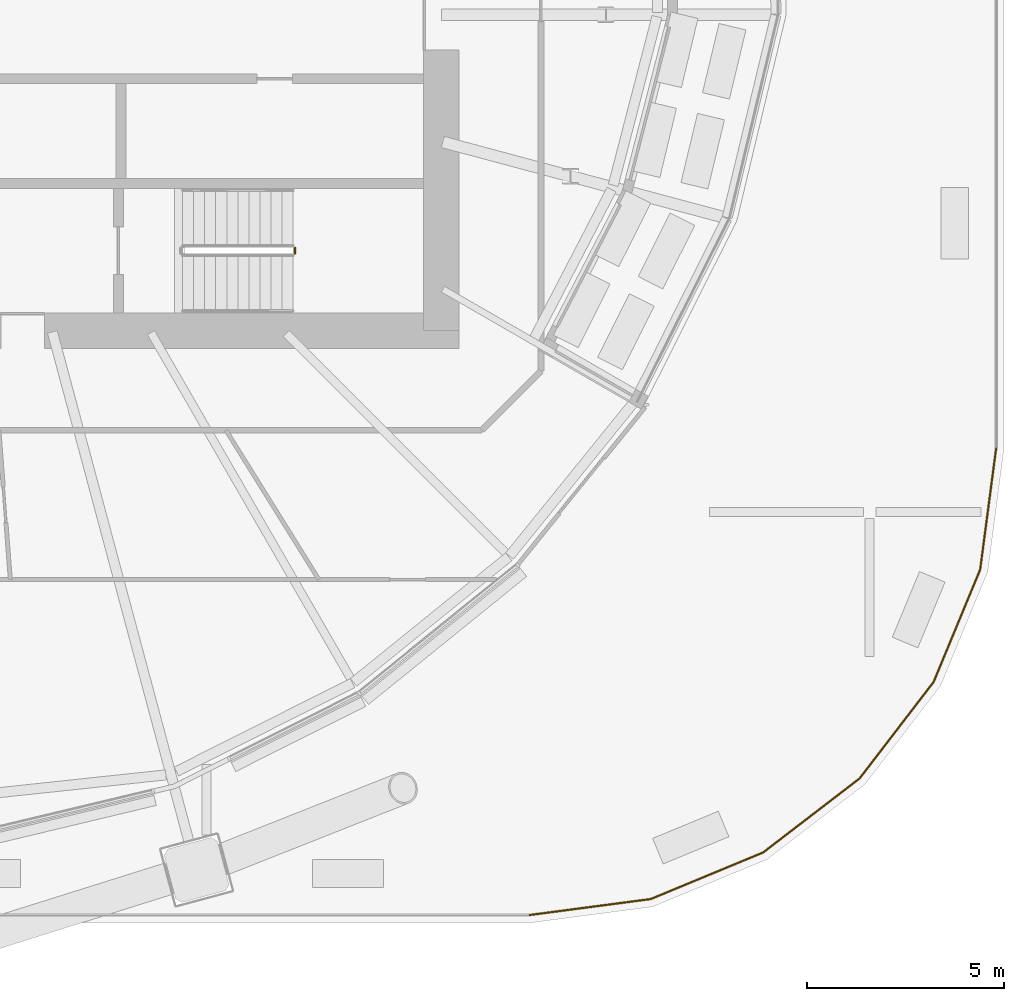
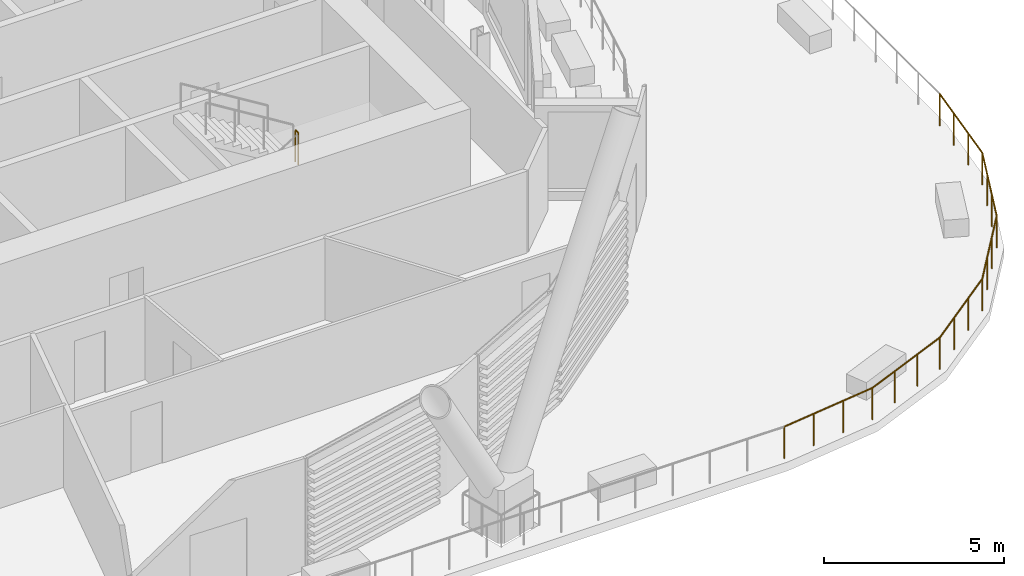
# One storey, part 44 of 47: 2 railings.
"""IFC4 building model written with IfcOpenShell, lengths in metres."""

from ifc_helpers import new_model, si_unit, direction, frame, origin, origin_2d, place, context, subcontext, project, spatial, circle, extrude, material, type_object, element, save


model = new_model("IFC4")

# Units and contexts
model_context = context("Model", 3, precision=1e-05, world=origin(), true_north=direction((0.0, 1.0)))
body_context = subcontext(model_context, "Body", "Model", "MODEL_VIEW")
ifc_project = project(units=[si_unit("LENGTHUNIT", "METRE"), si_unit("AREAUNIT", "SQUARE_METRE"), si_unit("VOLUMEUNIT", "CUBIC_METRE"), si_unit("PLANEANGLEUNIT", "RADIAN"), si_unit("MASSUNIT", "GRAM", prefix="KILO")], contexts=[model_context])

# Site, building, storey
site_placement = place(None, origin())
site = spatial("IfcSite", under=ifc_project, at=site_placement, CompositionType="ELEMENT")
building_placement = place(site_placement, origin())
building = spatial("IfcBuilding", under=site, at=building_placement, Name="Rimbun Link Towers", CompositionType="ELEMENT")
storey_placement = place(building_placement, frame((0.0, 0.0, 30.0)))
storey = spatial("IfcBuildingStorey", under=building, at=storey_placement, Name="L06", CompositionType="ELEMENT", Elevation=30.0)

# Railings
ifc_material_1 = material(Name="Toughened laminated glass, stainless steel grade 316 posts and cap rail", Category="steel")
railing_type_1 = type_object("IfcRailingType", Name="GUARD glass balustrade with stainless cap rail", PredefinedType="BALUSTRADE", material=ifc_material_1)
railing_1_placement = place(storey_placement, frame((45.98681640625, -22.800048828125, 0.0)))
element("IfcRailing", 1, at=railing_1_placement, inside=storey, type_object=railing_type_1, Name="GUARD glass balustrade", PredefinedType="BALUSTRADE", context=body_context, shape_type="SweptSolid", body=[
    extrude(circle(Radius=0.02392578125, at=origin_2d()), frame((0.0, 0.0, 1.076171875), z_axis=(0.991443009305, 0.130540259305, 0.0), x_axis=(-0.130540259305, 0.991443009305, 0.0)), (0.0, 0.0, 1.0), 3.09326171875),
    extrude(circle(Radius=0.02392578125, at=origin_2d()), frame((3.06689453125, 0.40380859375, 1.076171875), z_axis=(0.92386997747, 0.382706499462, 0.0), x_axis=(-0.382706499462, 0.92386997747, 0.0)), (0.0, 0.0, 1.0), 3.079833984375),
    extrude(circle(Radius=0.02392578125, at=origin_2d()), frame((5.912353515625, 1.58251953125, 1.076171875), z_axis=(0.793398353015, 0.608702762794, 0.0), x_axis=(-0.608702762794, 0.793398353015, 0.0)), (0.0, 0.0, 1.0), 3.079833984375),
    extrude(circle(Radius=0.02392578125, at=origin_2d()), frame((8.35595703125, 3.457275390625, 1.076171875), z_axis=(0.608702762794, 0.793398353015, 0.0), x_axis=(-0.793398353015, 0.608702762794, 0.0)), (0.0, 0.0, 1.0), 3.079833984375),
    extrude(circle(Radius=0.02392578125, at=origin_2d()), frame((10.230712890625, 5.90087890625, 1.076171875), z_axis=(0.382706499462, 0.92386997747, 0.0), x_axis=(-0.92386997747, 0.382706499462, 0.0)), (0.0, 0.0, 1.0), 3.079833984375),
    extrude(circle(Radius=0.02392578125, at=origin_2d()), frame((11.409423828125, 8.746337890625, 1.076171875), z_axis=(0.130540259305, 0.991443009305, 0.0), x_axis=(-0.991443009305, 0.130540259305, 0.0)), (0.0, 0.0, 1.0), 3.09326171875),
    extrude(circle(Radius=0.02099609375, at=origin_2d()), origin(), (0.0, 0.0, 1.0), 1.052001953125),
    extrude(circle(Radius=0.02099609375, at=origin_2d()), frame((1.022216796875, 0.134521484375, 0.0)), (0.0, 0.0, 1.0), 1.052001953125),
    extrude(circle(Radius=0.02099609375, at=origin_2d()), frame((2.044677734375, 0.269287109375, 0.0)), (0.0, 0.0, 1.0), 1.052001953125),
    extrude(circle(Radius=0.02099609375, at=origin_2d()), frame((3.06689453125, 0.40380859375, 0.0)), (0.0, 0.0, 1.0), 1.052001953125),
    extrude(circle(Radius=0.02099609375, at=origin_2d()), frame((4.015380859375, 0.796630859375, 0.0)), (0.0, 0.0, 1.0), 1.052001953125),
    extrude(circle(Radius=0.02099609375, at=origin_2d()), frame((4.9638671875, 1.189697265625, 0.0)), (0.0, 0.0, 1.0), 1.052001953125),
    extrude(circle(Radius=0.02099609375, at=origin_2d()), frame((5.912353515625, 1.58251953125, 0.0)), (0.0, 0.0, 1.0), 1.052001953125),
    extrude(circle(Radius=0.02099609375, at=origin_2d()), frame((6.726806640625, 2.20751953125, 0.0)), (0.0, 0.0, 1.0), 1.052001953125),
    extrude(circle(Radius=0.02099609375, at=origin_2d()), frame((7.54150390625, 2.832275390625, 0.0)), (0.0, 0.0, 1.0), 1.052001953125),
    extrude(circle(Radius=0.02099609375, at=origin_2d()), frame((8.35595703125, 3.457275390625, 0.0)), (0.0, 0.0, 1.0), 1.052001953125),
    extrude(circle(Radius=0.02099609375, at=origin_2d()), frame((8.98095703125, 4.271728515625, 0.0)), (0.0, 0.0, 1.0), 1.052001953125),
    extrude(circle(Radius=0.02099609375, at=origin_2d()), frame((9.605712890625, 5.08642578125, 0.0)), (0.0, 0.0, 1.0), 1.052001953125),
    extrude(circle(Radius=0.02099609375, at=origin_2d()), frame((10.230712890625, 5.90087890625, 0.0)), (0.0, 0.0, 1.0), 1.052001953125),
    extrude(circle(Radius=0.02099609375, at=origin_2d()), frame((10.62353515625, 6.849365234375, 0.0)), (0.0, 0.0, 1.0), 1.052001953125),
    extrude(circle(Radius=0.02099609375, at=origin_2d()), frame((11.0166015625, 7.7978515625, 0.0)), (0.0, 0.0, 1.0), 1.052001953125),
    extrude(circle(Radius=0.02099609375, at=origin_2d()), frame((11.409423828125, 8.746337890625, 0.0)), (0.0, 0.0, 1.0), 1.052001953125),
    extrude(circle(Radius=0.02099609375, at=origin_2d()), frame((11.5439453125, 9.7685546875, 0.0)), (0.0, 0.0, 1.0), 1.052001953125),
    extrude(circle(Radius=0.02099609375, at=origin_2d()), frame((11.6787109375, 10.791015625, 0.0)), (0.0, 0.0, 1.0), 1.052001953125),
    extrude(circle(Radius=0.02099609375, at=origin_2d()), frame((11.813232421875, 11.813232421875, 0.0)), (0.0, 0.0, 1.0), 1.052001953125),
])
ifc_material_2 = material(Name="Stainless steel grade 316", Category="steel")
railing_type_2 = type_object("IfcRailingType", Name="Stair guard", PredefinedType="GUARDRAIL", material=ifc_material_2)
railing_2_placement = place(storey_placement, frame((40.050048828125, -6.050048828125, 1.89990234375)))
element("IfcRailing", 2, at=railing_2_placement, inside=storey, type_object=railing_type_2, Name="L06 ST4 stair guard 2", PredefinedType="GUARDRAIL", context=body_context, shape_type="SweptSolid", body=[
    extrude(circle(Radius=0.02392578125, at=origin_2d()), frame((0.0, 0.0, 1.076171875), z_axis=(0.0, 1.0, 0.0), x_axis=(-1.0, 0.0, 0.0)), (0.0, 0.0, 1.0), 0.150146484375),
    extrude(circle(Radius=0.02099609375, at=origin_2d()), origin(), (0.0, 0.0, 1.0), 1.052001953125),
    extrude(circle(Radius=0.02099609375, at=origin_2d()), frame((0.0, 0.150146484375, 0.0)), (0.0, 0.0, 1.0), 1.052001953125),
])

save(model, "model.ifc")
